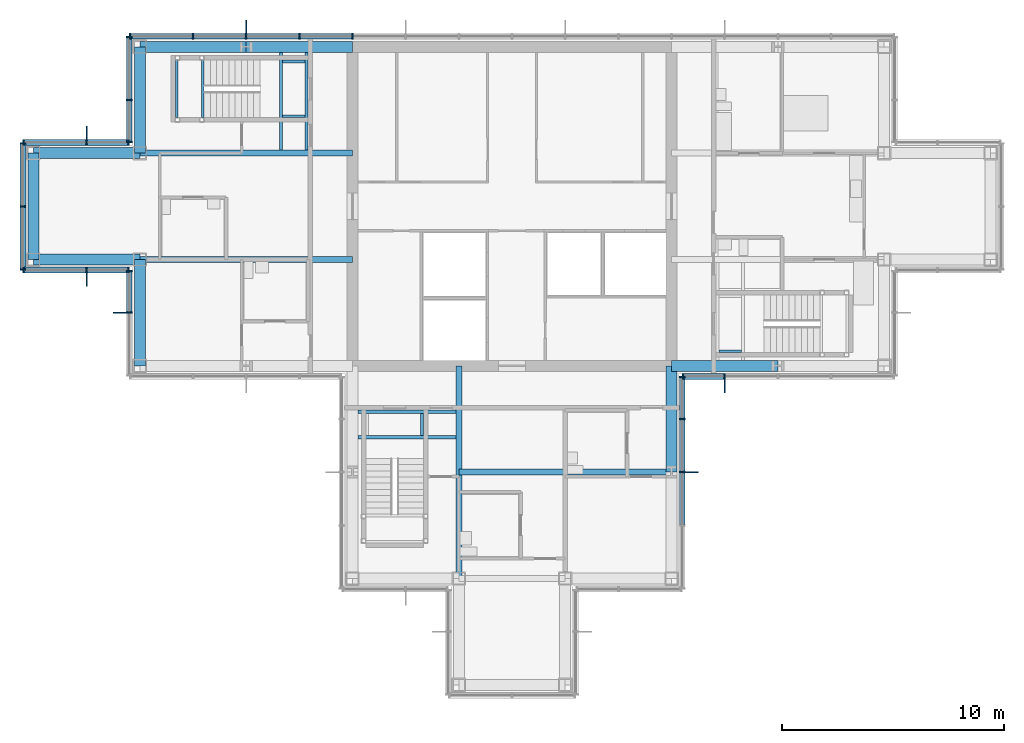
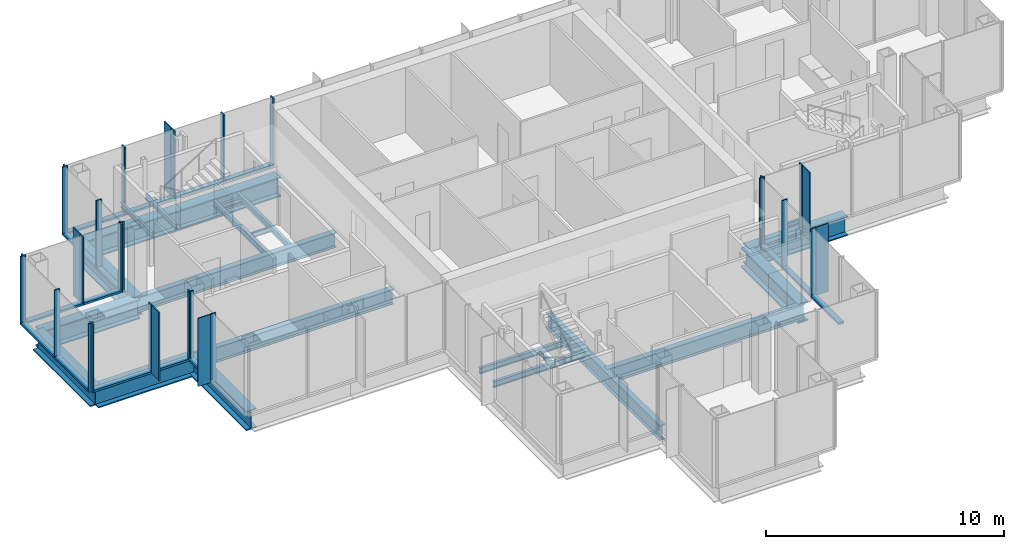
# One storey, part 6 of 15: 47 members, 23 beams, 8 elements without a shape of their own.
"""IFC4 building model written with IfcOpenShell, lengths in metres."""

from ifc_helpers import new_model, si_unit, direction, frame, origin, origin_2d, place, context, subcontext, project, spatial, rectangle, i_section, extrude, material, material_profile, profile_set, type_object, element, aggregate, save


model = new_model("IFC4")

# Units and contexts
model_context = context("Model", 3, precision=1e-05, world=origin(), true_north=direction((0.0, 1.0)))
body_context = subcontext(model_context, "Body", "Model", "MODEL_VIEW")
ifc_project = project(units=[si_unit("LENGTHUNIT", "METRE"), si_unit("AREAUNIT", "SQUARE_METRE"), si_unit("VOLUMEUNIT", "CUBIC_METRE"), si_unit("PLANEANGLEUNIT", "RADIAN"), si_unit("MASSUNIT", "GRAM", prefix="KILO")], contexts=[model_context])

# Site, building, storey
site_placement = place(None, origin())
site = spatial("IfcSite", under=ifc_project, at=site_placement, CompositionType="ELEMENT")
building_placement = place(site_placement, origin())
building = spatial("IfcBuilding", under=site, at=building_placement, Name="Kvirike Care Tower", CompositionType="ELEMENT")
storey_placement = place(building_placement, frame((0.0, 0.0, 226.0)))
storey = spatial("IfcBuildingStorey", under=building, at=storey_placement, Name="L62", CompositionType="ELEMENT", Elevation=226.0)

# Curtain wall, member
ifc_material_1 = material(Name="Anodised aluminium stick system", Category="aluminium")
curtain_wall_type = type_object("IfcCurtainWallType", Name="CW-D STICK CURTAIN WALL", PredefinedType="NOTDEFINED", material=ifc_material_1)
curtain_wall_1_placement = place(storey_placement, origin())
curtain_wall_1 = element("IfcCurtainWall", 1, at=curtain_wall_1_placement, inside=storey, type_object=curtain_wall_type, Name="Curtain wall L62 face 1", PredefinedType="NOTDEFINED")
ifc_material_2 = material(Name="Bronze anodised aluminium fin", Category="aluminium")
ifc_material_profile_1 = material_profile(ifc_material_2, rectangle(XDim=0.050048828125, YDim=0.60009765625, at=origin_2d()), Name="BRONZE FIN 600")
ifc_profile_set_1 = profile_set([ifc_material_profile_1], Name="Bronze anodised aluminium fin")
member_type_1 = type_object("IfcMemberType", Name="BRONZE FIN 600", PredefinedType="USERDEFINED", material=ifc_profile_set_1)
member_1_placement = place(storey_placement, frame((31.199951171875, 27.889892578125, 0.0), z_axis=(0.0, 0.0, 1.0), x_axis=(1.0, 0.0, 0.0)))
member_1 = element("IfcMember", 2, at=member_1_placement, type_object=member_type_1, Name="Bronze fin L62 face 1.2", ObjectType="FIN", PredefinedType="USERDEFINED", context=body_context, shape_type="SweptSolid", body=[
    extrude(rectangle(XDim=0.050048828125, YDim=0.60009765625, at=origin_2d()), origin(), (0.0, 0.0, 1.0), 3.5),
])

curtain_wall_2_placement = place(storey_placement, origin())
curtain_wall_2 = element("IfcCurtainWall", 3, at=curtain_wall_2_placement, inside=storey, type_object=curtain_wall_type, Name="Curtain wall L62 face 7", PredefinedType="NOTDEFINED")
member_2_placement = place(storey_placement, frame((9.60009765625, 44.110107421875, 0.0), z_axis=(0.0, 0.0, 1.0), x_axis=(-1.0, 0.0, 0.0)))
member_2 = element("IfcMember", 4, at=member_2_placement, type_object=member_type_1, Name="Bronze fin L62 face 7.13", ObjectType="FIN", PredefinedType="USERDEFINED", context=body_context, shape_type="SweptSolid", body=[
    extrude(rectangle(XDim=0.050048828125, YDim=0.60009765625, at=origin_2d()), origin(), (0.0, 0.0, 1.0), 3.5),
])

curtain_wall_3_placement = place(storey_placement, origin())
curtain_wall_3 = element("IfcCurtainWall", 5, at=curtain_wall_3_placement, inside=storey, type_object=curtain_wall_type, Name="Curtain wall L62 face 9", PredefinedType="NOTDEFINED")
member_3_placement = place(storey_placement, frame((2.39990234375, 39.31005859375, 0.0), z_axis=(0.0, 0.0, 1.0), x_axis=(-1.0, 0.0, 0.0)))
member_3 = element("IfcMember", 6, at=member_3_placement, type_object=member_type_1, Name="Bronze fin L62 face 9.2", ObjectType="FIN", PredefinedType="USERDEFINED", context=body_context, shape_type="SweptSolid", body=[
    extrude(rectangle(XDim=0.050048828125, YDim=0.60009765625, at=origin_2d()), origin(), (0.0, 0.0, 1.0), 3.5),
])

curtain_wall_4_placement = place(storey_placement, origin())
curtain_wall_4 = element("IfcCurtainWall", 7, at=curtain_wall_4_placement, inside=storey, type_object=curtain_wall_type, Name="Curtain wall L62 face 11", PredefinedType="NOTDEFINED")
member_4_placement = place(storey_placement, frame((2.39990234375, 32.68994140625, 0.0), z_axis=(0.0, 0.0, 1.0), x_axis=(1.0, 0.0, 0.0)))
member_4 = element("IfcMember", 8, at=member_4_placement, type_object=member_type_1, Name="Bronze fin L62 face 11.2", ObjectType="FIN", PredefinedType="USERDEFINED", context=body_context, shape_type="SweptSolid", body=[
    extrude(rectangle(XDim=0.050048828125, YDim=0.60009765625, at=origin_2d()), origin(), (0.0, 0.0, 1.0), 3.5),
])

curtain_wall_5_placement = place(storey_placement, origin())
curtain_wall_5 = element("IfcCurtainWall", 9, at=curtain_wall_5_placement, inside=storey, type_object=curtain_wall_type, Name="Curtain wall L62 face 12", PredefinedType="NOTDEFINED")
member_5_placement = place(storey_placement, frame((3.889892578125, 31.199951171875, 0.0), z_axis=(0.0, 0.0, 1.0), x_axis=(0.0, -1.0, 0.0)))
member_5 = element("IfcMember", 10, at=member_5_placement, type_object=member_type_1, Name="Bronze fin L62 face 12.2", ObjectType="FIN", PredefinedType="USERDEFINED", context=body_context, shape_type="SweptSolid", body=[
    extrude(rectangle(XDim=0.050048828125, YDim=0.60009765625, at=origin_2d()), origin(), (0.0, 0.0, 1.0), 3.5),
])

curtain_wall_6_placement = place(storey_placement, origin())
curtain_wall_6 = element("IfcCurtainWall", 11, at=curtain_wall_6_placement, inside=storey, type_object=curtain_wall_type, Name="Curtain wall L62 face 20", PredefinedType="NOTDEFINED")
member_6_placement = place(storey_placement, frame((29.7099609375, 24.0, 0.0), z_axis=(0.0, 0.0, 1.0), x_axis=(0.0, 1.0, 0.0)))
member_6 = element("IfcMember", 12, at=member_6_placement, type_object=member_type_1, Name="Bronze fin L62 face 20.3", ObjectType="FIN", PredefinedType="USERDEFINED", context=body_context, shape_type="SweptSolid", body=[
    extrude(rectangle(XDim=0.050048828125, YDim=0.60009765625, at=origin_2d()), origin(), (0.0, 0.0, 1.0), 3.5),
])

# Member
ifc_material_3 = material(Name="Bronze anodised aluminium mullion", Category="aluminium")
ifc_material_profile_2 = material_profile(ifc_material_3, rectangle(XDim=0.06494140625, YDim=0.260009765625, at=origin_2d()), Name="CW-D MULLION 65x260")
ifc_profile_set_2 = profile_set([ifc_material_profile_2], Name="Bronze anodised aluminium mullion")
member_type_2 = type_object("IfcMemberType", Name="CW-D MULLION 65x260", PredefinedType="MULLION", material=ifc_profile_set_2)
member_7_placement = place(storey_placement, frame((29.3125, 28.320068359375, 0.0), z_axis=(0.0, 0.0, 1.0), x_axis=(1.0, 0.0, 0.0)))
member_7 = element("IfcMember", 13, at=member_7_placement, type_object=member_type_2, Name="CW-D mullion L62 face 1.1", PredefinedType="MULLION", context=body_context, shape_type="SweptSolid", body=[
    extrude(rectangle(XDim=0.06494140625, YDim=0.260009765625, at=origin_2d()), origin(), (0.0, 0.0, 1.0), 3.5),
])

member_8_placement = place(storey_placement, frame((31.199951171875, 28.320068359375, 0.0), z_axis=(0.0, 0.0, 1.0), x_axis=(1.0, 0.0, 0.0)))
member_8 = element("IfcMember", 14, at=member_8_placement, type_object=member_type_2, Name="CW-D mullion L62 face 1.2", PredefinedType="MULLION", context=body_context, shape_type="SweptSolid", body=[
    extrude(rectangle(XDim=0.06494140625, YDim=0.260009765625, at=origin_2d()), origin(), (0.0, 0.0, 1.0), 3.5),
])

member_9_placement = place(storey_placement, frame((14.39990234375, 43.679931640625, 0.0), z_axis=(0.0, 0.0, 1.0), x_axis=(-1.0, 0.0, 0.0)))
member_9 = element("IfcMember", 15, at=member_9_placement, type_object=member_type_2, Name="CW-D mullion L62 face 7.11", PredefinedType="MULLION", context=body_context, shape_type="SweptSolid", body=[
    extrude(rectangle(XDim=0.06494140625, YDim=0.260009765625, at=origin_2d()), origin(), (0.0, 0.0, 1.0), 3.5),
])

member_10_placement = place(storey_placement, frame((12.0, 43.679931640625, 0.0), z_axis=(0.0, 0.0, 1.0), x_axis=(-1.0, 0.0, 0.0)))
member_10 = element("IfcMember", 16, at=member_10_placement, type_object=member_type_2, Name="CW-D mullion L62 face 7.12", PredefinedType="MULLION", context=body_context, shape_type="SweptSolid", body=[
    extrude(rectangle(XDim=0.06494140625, YDim=0.260009765625, at=origin_2d()), origin(), (0.0, 0.0, 1.0), 3.5),
])

member_11_placement = place(storey_placement, frame((9.60009765625, 43.679931640625, 0.0), z_axis=(0.0, 0.0, 1.0), x_axis=(-1.0, 0.0, 0.0)))
member_11 = element("IfcMember", 17, at=member_11_placement, type_object=member_type_2, Name="CW-D mullion L62 face 7.13", PredefinedType="MULLION", context=body_context, shape_type="SweptSolid", body=[
    extrude(rectangle(XDim=0.06494140625, YDim=0.260009765625, at=origin_2d()), origin(), (0.0, 0.0, 1.0), 3.5),
])

member_12_placement = place(storey_placement, frame((7.199951171875, 43.679931640625, 0.0), z_axis=(0.0, 0.0, 1.0), x_axis=(-1.0, 0.0, 0.0)))
member_12 = element("IfcMember", 18, at=member_12_placement, type_object=member_type_2, Name="CW-D mullion L62 face 7.14", PredefinedType="MULLION", context=body_context, shape_type="SweptSolid", body=[
    extrude(rectangle(XDim=0.06494140625, YDim=0.260009765625, at=origin_2d()), origin(), (0.0, 0.0, 1.0), 3.5),
])

member_13_placement = place(storey_placement, frame((4.3525390625, 43.679931640625, 0.0), z_axis=(0.0, 0.0, 1.0), x_axis=(-1.0, 0.0, 0.0)))
member_13 = element("IfcMember", 19, at=member_13_placement, type_object=member_type_2, Name="CW-D mullion L62 face 7.15", PredefinedType="MULLION", context=body_context, shape_type="SweptSolid", body=[
    extrude(rectangle(XDim=0.06494140625, YDim=0.260009765625, at=origin_2d()), origin(), (0.0, 0.0, 1.0), 3.5),
])

# Curtain wall, members
curtain_wall_7_placement = place(storey_placement, origin())
curtain_wall_7 = element("IfcCurtainWall", 20, at=curtain_wall_7_placement, inside=storey, type_object=curtain_wall_type, Name="Curtain wall L62 face 8", PredefinedType="NOTDEFINED")
member_14_placement = place(storey_placement, frame((4.320068359375, 43.6474609375, 0.0), z_axis=(0.0, 0.0, 1.0), x_axis=(0.0, -1.0, 0.0)))
member_14 = element("IfcMember", 21, at=member_14_placement, type_object=member_type_2, Name="CW-D mullion L62 face 8.1", PredefinedType="MULLION", context=body_context, shape_type="SweptSolid", body=[
    extrude(rectangle(XDim=0.06494140625, YDim=0.260009765625, at=origin_2d()), origin(), (0.0, 0.0, 1.0), 3.5),
])
member_15_placement = place(storey_placement, frame((4.320068359375, 40.800048828125, 0.0), z_axis=(0.0, 0.0, 1.0), x_axis=(0.0, -1.0, 0.0)))
member_15 = element("IfcMember", 22, at=member_15_placement, type_object=member_type_2, Name="CW-D mullion L62 face 8.2", PredefinedType="MULLION", context=body_context, shape_type="SweptSolid", body=[
    extrude(rectangle(XDim=0.06494140625, YDim=0.260009765625, at=origin_2d()), origin(), (0.0, 0.0, 1.0), 3.5),
])
member_16_placement = place(storey_placement, frame((4.320068359375, 38.91259765625, 0.0), z_axis=(0.0, 0.0, 1.0), x_axis=(0.0, -1.0, 0.0)))
member_16 = element("IfcMember", 23, at=member_16_placement, type_object=member_type_2, Name="CW-D mullion L62 face 8.3", PredefinedType="MULLION", context=body_context, shape_type="SweptSolid", body=[
    extrude(rectangle(XDim=0.06494140625, YDim=0.260009765625, at=origin_2d()), origin(), (0.0, 0.0, 1.0), 3.5),
])

# Member
member_17_placement = place(storey_placement, frame((4.28759765625, 38.8798828125, 0.0), z_axis=(0.0, 0.0, 1.0), x_axis=(-1.0, 0.0, 0.0)))
member_17 = element("IfcMember", 24, at=member_17_placement, type_object=member_type_2, Name="CW-D mullion L62 face 9.1", PredefinedType="MULLION", context=body_context, shape_type="SweptSolid", body=[
    extrude(rectangle(XDim=0.06494140625, YDim=0.260009765625, at=origin_2d()), origin(), (0.0, 0.0, 1.0), 3.5),
])

member_18_placement = place(storey_placement, frame((2.39990234375, 38.8798828125, 0.0), z_axis=(0.0, 0.0, 1.0), x_axis=(-1.0, 0.0, 0.0)))
member_18 = element("IfcMember", 25, at=member_18_placement, type_object=member_type_2, Name="CW-D mullion L62 face 9.2", PredefinedType="MULLION", context=body_context, shape_type="SweptSolid", body=[
    extrude(rectangle(XDim=0.06494140625, YDim=0.260009765625, at=origin_2d()), origin(), (0.0, 0.0, 1.0), 3.5),
])

member_19_placement = place(storey_placement, frame((-0.447509765625, 38.8798828125, 0.0), z_axis=(0.0, 0.0, 1.0), x_axis=(-1.0, 0.0, 0.0)))
member_19 = element("IfcMember", 26, at=member_19_placement, type_object=member_type_2, Name="CW-D mullion L62 face 9.3", PredefinedType="MULLION", context=body_context, shape_type="SweptSolid", body=[
    extrude(rectangle(XDim=0.06494140625, YDim=0.260009765625, at=origin_2d()), origin(), (0.0, 0.0, 1.0), 3.5),
])

# Curtain wall, members
curtain_wall_8_placement = place(storey_placement, origin())
curtain_wall_8 = element("IfcCurtainWall", 27, at=curtain_wall_8_placement, inside=storey, type_object=curtain_wall_type, Name="Curtain wall L62 face 10", PredefinedType="NOTDEFINED")
member_20_placement = place(storey_placement, frame((-0.47998046875, 38.847412109375, 0.0), z_axis=(0.0, 0.0, 1.0), x_axis=(0.0, -1.0, 0.0)))
member_20 = element("IfcMember", 28, at=member_20_placement, type_object=member_type_2, Name="CW-D mullion L62 face 10.1", PredefinedType="MULLION", context=body_context, shape_type="SweptSolid", body=[
    extrude(rectangle(XDim=0.06494140625, YDim=0.260009765625, at=origin_2d()), origin(), (0.0, 0.0, 1.0), 3.5),
])
member_21_placement = place(storey_placement, frame((-0.47998046875, 36.0, 0.0), z_axis=(0.0, 0.0, 1.0), x_axis=(0.0, -1.0, 0.0)))
member_21 = element("IfcMember", 29, at=member_21_placement, type_object=member_type_2, Name="CW-D mullion L62 face 10.2", PredefinedType="MULLION", context=body_context, shape_type="SweptSolid", body=[
    extrude(rectangle(XDim=0.06494140625, YDim=0.260009765625, at=origin_2d()), origin(), (0.0, 0.0, 1.0), 3.5),
])
member_22_placement = place(storey_placement, frame((-0.47998046875, 33.152587890625, 0.0), z_axis=(0.0, 0.0, 1.0), x_axis=(0.0, -1.0, 0.0)))
member_22 = element("IfcMember", 30, at=member_22_placement, type_object=member_type_2, Name="CW-D mullion L62 face 10.3", PredefinedType="MULLION", context=body_context, shape_type="SweptSolid", body=[
    extrude(rectangle(XDim=0.06494140625, YDim=0.260009765625, at=origin_2d()), origin(), (0.0, 0.0, 1.0), 3.5),
])

# Member
member_23_placement = place(storey_placement, frame((-0.447509765625, 33.1201171875, 0.0), z_axis=(0.0, 0.0, 1.0), x_axis=(1.0, 0.0, 0.0)))
member_23 = element("IfcMember", 31, at=member_23_placement, type_object=member_type_2, Name="CW-D mullion L62 face 11.1", PredefinedType="MULLION", context=body_context, shape_type="SweptSolid", body=[
    extrude(rectangle(XDim=0.06494140625, YDim=0.260009765625, at=origin_2d()), origin(), (0.0, 0.0, 1.0), 3.5),
])

member_24_placement = place(storey_placement, frame((2.39990234375, 33.1201171875, 0.0), z_axis=(0.0, 0.0, 1.0), x_axis=(1.0, 0.0, 0.0)))
member_24 = element("IfcMember", 32, at=member_24_placement, type_object=member_type_2, Name="CW-D mullion L62 face 11.2", PredefinedType="MULLION", context=body_context, shape_type="SweptSolid", body=[
    extrude(rectangle(XDim=0.06494140625, YDim=0.260009765625, at=origin_2d()), origin(), (0.0, 0.0, 1.0), 3.5),
])

member_25_placement = place(storey_placement, frame((4.28759765625, 33.1201171875, 0.0), z_axis=(0.0, 0.0, 1.0), x_axis=(1.0, 0.0, 0.0)))
member_25 = element("IfcMember", 33, at=member_25_placement, type_object=member_type_2, Name="CW-D mullion L62 face 11.3", PredefinedType="MULLION", context=body_context, shape_type="SweptSolid", body=[
    extrude(rectangle(XDim=0.06494140625, YDim=0.260009765625, at=origin_2d()), origin(), (0.0, 0.0, 1.0), 3.5),
])

member_26_placement = place(storey_placement, frame((4.320068359375, 33.08740234375, 0.0), z_axis=(0.0, 0.0, 1.0), x_axis=(0.0, -1.0, 0.0)))
member_26 = element("IfcMember", 34, at=member_26_placement, type_object=member_type_2, Name="CW-D mullion L62 face 12.1", PredefinedType="MULLION", context=body_context, shape_type="SweptSolid", body=[
    extrude(rectangle(XDim=0.06494140625, YDim=0.260009765625, at=origin_2d()), origin(), (0.0, 0.0, 1.0), 3.5),
])

member_27_placement = place(storey_placement, frame((4.320068359375, 31.199951171875, 0.0), z_axis=(0.0, 0.0, 1.0), x_axis=(0.0, -1.0, 0.0)))
member_27 = element("IfcMember", 35, at=member_27_placement, type_object=member_type_2, Name="CW-D mullion L62 face 12.2", PredefinedType="MULLION", context=body_context, shape_type="SweptSolid", body=[
    extrude(rectangle(XDim=0.06494140625, YDim=0.260009765625, at=origin_2d()), origin(), (0.0, 0.0, 1.0), 3.5),
])

member_28_placement = place(storey_placement, frame((29.280029296875, 24.0, 0.0), z_axis=(0.0, 0.0, 1.0), x_axis=(0.0, 1.0, 0.0)))
member_28 = element("IfcMember", 36, at=member_28_placement, type_object=member_type_2, Name="CW-D mullion L62 face 20.3", PredefinedType="MULLION", context=body_context, shape_type="SweptSolid", body=[
    extrude(rectangle(XDim=0.06494140625, YDim=0.260009765625, at=origin_2d()), origin(), (0.0, 0.0, 1.0), 3.5),
])

member_29_placement = place(storey_placement, frame((29.280029296875, 26.39990234375, 0.0), z_axis=(0.0, 0.0, 1.0), x_axis=(0.0, 1.0, 0.0)))
member_29 = element("IfcMember", 37, at=member_29_placement, type_object=member_type_2, Name="CW-D mullion L62 face 20.4", PredefinedType="MULLION", context=body_context, shape_type="SweptSolid", body=[
    extrude(rectangle(XDim=0.06494140625, YDim=0.260009765625, at=origin_2d()), origin(), (0.0, 0.0, 1.0), 3.5),
])

member_30_placement = place(storey_placement, frame((29.280029296875, 28.28759765625, 0.0), z_axis=(0.0, 0.0, 1.0), x_axis=(0.0, 1.0, 0.0)))
member_30 = element("IfcMember", 38, at=member_30_placement, type_object=member_type_2, Name="CW-D mullion L62 face 20.5", PredefinedType="MULLION", context=body_context, shape_type="SweptSolid", body=[
    extrude(rectangle(XDim=0.06494140625, YDim=0.260009765625, at=origin_2d()), origin(), (0.0, 0.0, 1.0), 3.5),
])

ifc_material_4 = material(Name="Bronze anodised aluminium transom", Category="aluminium")
ifc_material_profile_3 = material_profile(ifc_material_4, rectangle(XDim=0.260009765625, YDim=0.10009765625, at=origin_2d()), Name="CW-D TRANSOM 260x100")
ifc_profile_set_3 = profile_set([ifc_material_profile_3], Name="Bronze anodised aluminium transom")
member_type_3 = type_object("IfcMemberType", Name="CW-D TRANSOM 260x100", PredefinedType="USERDEFINED", material=ifc_profile_set_3)
member_31_placement = place(storey_placement, frame((29.344970703125, 28.320068359375, 0.050048828125), z_axis=(1.0, 0.0, 0.0), x_axis=(0.0, 1.0, 0.0)))
member_31 = element("IfcMember", 39, at=member_31_placement, type_object=member_type_3, Name="CW-D sill transom L62 face 1.1", ObjectType="TRANSOM", PredefinedType="USERDEFINED", context=body_context, shape_type="SweptSolid", body=[
    extrude(rectangle(XDim=0.260009765625, YDim=0.10009765625, at=origin_2d()), origin(), (0.0, 0.0, 1.0), 1.822509765625),
])

aggregate(curtain_wall_1, [member_7, member_8, member_1, member_31])

member_32_placement = place(storey_placement, frame((14.367431640625, 43.679931640625, 0.050048828125), z_axis=(-1.0, 0.0, 0.0), x_axis=(0.0, -1.0, 0.0)))
member_32 = element("IfcMember", 40, at=member_32_placement, type_object=member_type_3, Name="CW-D sill transom L62 face 7.11", ObjectType="TRANSOM", PredefinedType="USERDEFINED", context=body_context, shape_type="SweptSolid", body=[
    extrude(rectangle(XDim=0.260009765625, YDim=0.10009765625, at=origin_2d()), origin(), (0.0, 0.0, 1.0), 2.3349609375),
])

member_33_placement = place(storey_placement, frame((11.967529296875, 43.679931640625, 0.050048828125), z_axis=(-1.0, 0.0, 0.0), x_axis=(0.0, -1.0, 0.0)))
member_33 = element("IfcMember", 41, at=member_33_placement, type_object=member_type_3, Name="CW-D sill transom L62 face 7.12", ObjectType="TRANSOM", PredefinedType="USERDEFINED", context=body_context, shape_type="SweptSolid", body=[
    extrude(rectangle(XDim=0.260009765625, YDim=0.10009765625, at=origin_2d()), origin(), (0.0, 0.0, 1.0), 2.3349609375),
])

member_34_placement = place(storey_placement, frame((9.5673828125, 43.679931640625, 0.050048828125), z_axis=(-1.0, 0.0, 0.0), x_axis=(0.0, -1.0, 0.0)))
member_34 = element("IfcMember", 42, at=member_34_placement, type_object=member_type_3, Name="CW-D sill transom L62 face 7.13", ObjectType="TRANSOM", PredefinedType="USERDEFINED", context=body_context, shape_type="SweptSolid", body=[
    extrude(rectangle(XDim=0.260009765625, YDim=0.10009765625, at=origin_2d()), origin(), (0.0, 0.0, 1.0), 2.3349609375),
])

member_35_placement = place(storey_placement, frame((7.16748046875, 43.679931640625, 0.050048828125), z_axis=(-1.0, 0.0, 0.0), x_axis=(0.0, -1.0, 0.0)))
member_35 = element("IfcMember", 43, at=member_35_placement, type_object=member_type_3, Name="CW-D sill transom L62 face 7.14", ObjectType="TRANSOM", PredefinedType="USERDEFINED", context=body_context, shape_type="SweptSolid", body=[
    extrude(rectangle(XDim=0.260009765625, YDim=0.10009765625, at=origin_2d()), origin(), (0.0, 0.0, 1.0), 2.782470703125),
])

aggregate(curtain_wall_2, [member_9, member_10, member_11, member_2, member_12, member_13, member_32, member_33, member_34, member_35])

member_36_placement = place(storey_placement, frame((4.320068359375, 43.614990234375, 0.050048828125), z_axis=(0.0, -1.0, 0.0), x_axis=(1.0, 0.0, 0.0)))
member_36 = element("IfcMember", 44, at=member_36_placement, type_object=member_type_3, Name="CW-D sill transom L62 face 8.1", ObjectType="TRANSOM", PredefinedType="USERDEFINED", context=body_context, shape_type="SweptSolid", body=[
    extrude(rectangle(XDim=0.260009765625, YDim=0.10009765625, at=origin_2d()), origin(), (0.0, 0.0, 1.0), 2.782470703125),
])

member_37_placement = place(storey_placement, frame((4.320068359375, 40.767578125, 0.050048828125), z_axis=(0.0, -1.0, 0.0), x_axis=(1.0, 0.0, 0.0)))
member_37 = element("IfcMember", 45, at=member_37_placement, type_object=member_type_3, Name="CW-D sill transom L62 face 8.2", ObjectType="TRANSOM", PredefinedType="USERDEFINED", context=body_context, shape_type="SweptSolid", body=[
    extrude(rectangle(XDim=0.260009765625, YDim=0.10009765625, at=origin_2d()), origin(), (0.0, 0.0, 1.0), 1.822509765625),
])

aggregate(curtain_wall_7, [member_14, member_15, member_16, member_36, member_37])

member_38_placement = place(storey_placement, frame((4.2548828125, 38.8798828125, 0.050048828125), z_axis=(-1.0, 0.0, 0.0), x_axis=(0.0, -1.0, 0.0)))
member_38 = element("IfcMember", 46, at=member_38_placement, type_object=member_type_3, Name="CW-D sill transom L62 face 9.1", ObjectType="TRANSOM", PredefinedType="USERDEFINED", context=body_context, shape_type="SweptSolid", body=[
    extrude(rectangle(XDim=0.260009765625, YDim=0.10009765625, at=origin_2d()), origin(), (0.0, 0.0, 1.0), 1.822265625),
])

member_39_placement = place(storey_placement, frame((2.367431640625, 38.8798828125, 0.050048828125), z_axis=(-1.0, 0.0, 0.0), x_axis=(0.0, -1.0, 0.0)))
member_39 = element("IfcMember", 47, at=member_39_placement, type_object=member_type_3, Name="CW-D sill transom L62 face 9.2", ObjectType="TRANSOM", PredefinedType="USERDEFINED", context=body_context, shape_type="SweptSolid", body=[
    extrude(rectangle(XDim=0.260009765625, YDim=0.10009765625, at=origin_2d()), origin(), (0.0, 0.0, 1.0), 2.782470703125),
])

aggregate(curtain_wall_3, [member_17, member_18, member_3, member_19, member_38, member_39])

member_40_placement = place(storey_placement, frame((-0.47998046875, 38.81494140625, 0.050048828125), z_axis=(0.0, -1.0, 0.0), x_axis=(1.0, 0.0, 0.0)))
member_40 = element("IfcMember", 48, at=member_40_placement, type_object=member_type_3, Name="CW-D sill transom L62 face 10.1", ObjectType="TRANSOM", PredefinedType="USERDEFINED", context=body_context, shape_type="SweptSolid", body=[
    extrude(rectangle(XDim=0.260009765625, YDim=0.10009765625, at=origin_2d()), origin(), (0.0, 0.0, 1.0), 2.782470703125),
])

member_41_placement = place(storey_placement, frame((-0.47998046875, 35.967529296875, 0.050048828125), z_axis=(0.0, -1.0, 0.0), x_axis=(1.0, 0.0, 0.0)))
member_41 = element("IfcMember", 49, at=member_41_placement, type_object=member_type_3, Name="CW-D sill transom L62 face 10.2", ObjectType="TRANSOM", PredefinedType="USERDEFINED", context=body_context, shape_type="SweptSolid", body=[
    extrude(rectangle(XDim=0.260009765625, YDim=0.10009765625, at=origin_2d()), origin(), (0.0, 0.0, 1.0), 2.782470703125),
])

aggregate(curtain_wall_8, [member_20, member_21, member_22, member_40, member_41])

member_42_placement = place(storey_placement, frame((-0.4150390625, 33.1201171875, 0.050048828125), z_axis=(1.0, 0.0, 0.0), x_axis=(0.0, 1.0, 0.0)))
member_42 = element("IfcMember", 50, at=member_42_placement, type_object=member_type_3, Name="CW-D sill transom L62 face 11.1", ObjectType="TRANSOM", PredefinedType="USERDEFINED", context=body_context, shape_type="SweptSolid", body=[
    extrude(rectangle(XDim=0.260009765625, YDim=0.10009765625, at=origin_2d()), origin(), (0.0, 0.0, 1.0), 2.782470703125),
])

member_43_placement = place(storey_placement, frame((2.4326171875, 33.1201171875, 0.050048828125), z_axis=(1.0, 0.0, 0.0), x_axis=(0.0, 1.0, 0.0)))
member_43 = element("IfcMember", 51, at=member_43_placement, type_object=member_type_3, Name="CW-D sill transom L62 face 11.2", ObjectType="TRANSOM", PredefinedType="USERDEFINED", context=body_context, shape_type="SweptSolid", body=[
    extrude(rectangle(XDim=0.260009765625, YDim=0.10009765625, at=origin_2d()), origin(), (0.0, 0.0, 1.0), 1.822265625),
])

aggregate(curtain_wall_4, [member_23, member_24, member_4, member_25, member_42, member_43])

member_44_placement = place(storey_placement, frame((4.320068359375, 33.054931640625, 0.050048828125), z_axis=(0.0, -1.0, 0.0), x_axis=(1.0, 0.0, 0.0)))
member_44 = element("IfcMember", 52, at=member_44_placement, type_object=member_type_3, Name="CW-D sill transom L62 face 12.1", ObjectType="TRANSOM", PredefinedType="USERDEFINED", context=body_context, shape_type="SweptSolid", body=[
    extrude(rectangle(XDim=0.260009765625, YDim=0.10009765625, at=origin_2d()), origin(), (0.0, 0.0, 1.0), 1.822509765625),
])

aggregate(curtain_wall_5, [member_26, member_27, member_5, member_44])

member_45_placement = place(storey_placement, frame((29.280029296875, 21.632568359375, 0.050048828125), z_axis=(0.0, 1.0, 0.0), x_axis=(-1.0, 0.0, 0.0)))
member_45 = element("IfcMember", 53, at=member_45_placement, type_object=member_type_3, Name="CW-D sill transom L62 face 20.2", ObjectType="TRANSOM", PredefinedType="USERDEFINED", context=body_context, shape_type="SweptSolid", body=[
    extrude(rectangle(XDim=0.260009765625, YDim=0.10009765625, at=origin_2d()), origin(), (0.0, 0.0, 1.0), 2.3349609375),
])

member_46_placement = place(storey_placement, frame((29.280029296875, 24.032470703125, 0.050048828125), z_axis=(0.0, 1.0, 0.0), x_axis=(-1.0, 0.0, 0.0)))
member_46 = element("IfcMember", 54, at=member_46_placement, type_object=member_type_3, Name="CW-D sill transom L62 face 20.3", ObjectType="TRANSOM", PredefinedType="USERDEFINED", context=body_context, shape_type="SweptSolid", body=[
    extrude(rectangle(XDim=0.260009765625, YDim=0.10009765625, at=origin_2d()), origin(), (0.0, 0.0, 1.0), 2.3349609375),
])

member_47_placement = place(storey_placement, frame((29.280029296875, 26.4326171875, 0.050048828125), z_axis=(0.0, 1.0, 0.0), x_axis=(-1.0, 0.0, 0.0)))
member_47 = element("IfcMember", 55, at=member_47_placement, type_object=member_type_3, Name="CW-D sill transom L62 face 20.4", ObjectType="TRANSOM", PredefinedType="USERDEFINED", context=body_context, shape_type="SweptSolid", body=[
    extrude(rectangle(XDim=0.260009765625, YDim=0.10009765625, at=origin_2d()), origin(), (0.0, 0.0, 1.0), 1.822265625),
])

aggregate(curtain_wall_6, [member_28, member_6, member_29, member_30, member_45, member_46, member_47])

# Beams
ifc_material_5 = material(Name="Steel S355", Category="steel")
ifc_material_profile_4 = material_profile(ifc_material_5, i_section(OverallWidth=0.26806640625, OverallDepth=0.77001953125, WebThickness=0.015625, FlangeThickness=0.025390625, FilletRadius=0.01708984375, at=origin_2d()), Name="IPE 750x196")
ifc_profile_set_4 = profile_set([ifc_material_profile_4], Name="Steel S355")
beam_type_1 = type_object("IfcBeamType", Name="FLOOR BEAM IPE 750x196", PredefinedType="BEAM", material=ifc_profile_set_4)
beam_1_placement = place(storey_placement, frame((19.199951171875, 24.0, -0.554931640625), z_axis=(1.0, 0.0, 0.0), x_axis=(0.0, 1.0, 0.0)))
element("IfcBeam", 56, at=beam_1_placement, inside=storey, type_object=beam_type_1, Name="Floor Beam F7-F9 L62", PredefinedType="BEAM", context=body_context, shape_type="SweptSolid", body=[
    extrude(i_section(OverallWidth=0.26806640625, OverallDepth=0.77001953125, WebThickness=0.015625, FlangeThickness=0.025390625, FilletRadius=0.01708984375, at=origin_2d()), origin(), (0.0, 0.0, 1.0), 9.60009765625),
])
for number, where, z_axis, x_axis, name in (
    (57, (4.800048828125, 33.60009765625, -0.554931640625), (1.0, 0.0, 0.0), (0.0, 1.0, 0.0), "Floor Beam H4-H6 L62"),
    (58, (4.800048828125, 38.39990234375, -0.554931640625), (1.0, 0.0, 0.0), (0.0, 1.0, 0.0), "Floor Beam J4-J6 L62"),
):
    element("IfcBeam", number, at=place(storey_placement, frame(where, z_axis=z_axis, x_axis=x_axis)), inside=storey, type_object=beam_type_1, Name=name, PredefinedType="BEAM", context=body_context, shape_type="SweptSolid", body=[
        extrude(i_section(OverallWidth=0.26806640625, OverallDepth=0.77001953125, WebThickness=0.015625, FlangeThickness=0.025390625, FilletRadius=0.01708984375, at=origin_2d()), origin(), (0.0, 0.0, 1.0), 9.599853515625),
    ])
beam_2_placement = place(storey_placement, frame((19.199951171875, 19.199951171875, -0.554931640625), z_axis=(0.0, 1.0, 0.0), x_axis=(-1.0, 0.0, 0.0)))
element("IfcBeam", 59, at=beam_2_placement, inside=storey, type_object=beam_type_1, Name="Floor Beam E7-G7 L62", PredefinedType="BEAM", context=body_context, shape_type="SweptSolid", body=[
    extrude(i_section(OverallWidth=0.26806640625, OverallDepth=0.77001953125, WebThickness=0.015625, FlangeThickness=0.025390625, FilletRadius=0.01708984375, at=origin_2d()), origin(), (0.0, 0.0, 1.0), 9.60009765625),
])
ifc_material_6 = material(Name="Steel S355", Category="steel")
ifc_material_profile_5 = material_profile(ifc_material_6, i_section(OverallWidth=0.5, OverallDepth=1.0, WebThickness=0.030029296875, FlangeThickness=0.06005859375, at=origin_2d()), Name="PG 1000x500x30x60")
ifc_profile_set_5 = profile_set([ifc_material_profile_5], Name="Steel S355")
beam_type_2 = type_object("IfcBeamType", Name="SPANDREL PG 1000x500x30x60", PredefinedType="SPANDREL", material=ifc_profile_set_5)
for number, where, z_axis, x_axis, name in (
    (60, (28.800048828125, 28.800048828125, -0.669921875), (1.0, 0.0, 0.0), (0.0, 1.0, 0.0), "Spandrel G9-G10 L62"),
    (61, (0.0, 33.60009765625, -0.669921875), (1.0, 0.0, 0.0), (0.0, 1.0, 0.0), "Spandrel H3-H4 L62"),
    (62, (0.0, 38.39990234375, -0.669921875), (1.0, 0.0, 0.0), (0.0, 1.0, 0.0), "Spandrel J3-J4 L62"),
    (63, (4.800048828125, 43.199951171875, -0.669921875), (1.0, 0.0, 0.0), (0.0, 1.0, 0.0), "Spandrel K4-K5 L62"),
):
    element("IfcBeam", number, at=place(storey_placement, frame(where, z_axis=z_axis, x_axis=x_axis)), inside=storey, type_object=beam_type_2, Name=name, PredefinedType="SPANDREL", context=body_context, shape_type="SweptSolid", body=[
        extrude(i_section(OverallWidth=0.5, OverallDepth=1.0, WebThickness=0.030029296875, FlangeThickness=0.06005859375, at=origin_2d()), origin(), (0.0, 0.0, 1.0), 4.800048828125),
    ])
for number, where, z_axis, x_axis, name in (
    (64, (9.60009765625, 43.199951171875, -0.669921875), (1.0, 0.0, 0.0), (0.0, 1.0, 0.0), "Spandrel K5-K6 L62"),
    (65, (0.0, 33.60009765625, -0.669921875), (0.0, 1.0, 0.0), (-1.0, 0.0, 0.0), "Spandrel H3-J3 L62"),
):
    element("IfcBeam", number, at=place(storey_placement, frame(where, z_axis=z_axis, x_axis=x_axis)), inside=storey, type_object=beam_type_2, Name=name, PredefinedType="SPANDREL", context=body_context, shape_type="SweptSolid", body=[
        extrude(i_section(OverallWidth=0.5, OverallDepth=1.0, WebThickness=0.030029296875, FlangeThickness=0.06005859375, at=origin_2d()), origin(), (0.0, 0.0, 1.0), 4.7998046875),
    ])
for number, where, z_axis, x_axis, name in (
    (66, (4.800048828125, 28.800048828125, -0.669921875), (0.0, 1.0, 0.0), (-1.0, 0.0, 0.0), "Spandrel G4-H4 L62"),
    (67, (4.800048828125, 38.39990234375, -0.669921875), (0.0, 1.0, 0.0), (-1.0, 0.0, 0.0), "Spandrel J4-K4 L62"),
    (68, (28.800048828125, 24.0, -0.669921875), (0.0, 1.0, 0.0), (-1.0, 0.0, 0.0), "Spandrel F9-G9 L62"),
):
    element("IfcBeam", number, at=place(storey_placement, frame(where, z_axis=z_axis, x_axis=x_axis)), inside=storey, type_object=beam_type_2, Name=name, PredefinedType="SPANDREL", context=body_context, shape_type="SweptSolid", body=[
        extrude(i_section(OverallWidth=0.5, OverallDepth=1.0, WebThickness=0.030029296875, FlangeThickness=0.06005859375, at=origin_2d()), origin(), (0.0, 0.0, 1.0), 4.800048828125),
    ])
ifc_material_7 = material(Name="Steel S355", Category="steel")
ifc_material_profile_6 = material_profile(ifc_material_7, i_section(OverallWidth=0.1201171875, OverallDepth=0.239990234375, WebThickness=0.006103515625, FlangeThickness=0.009765625, FilletRadius=0.014892578125, at=origin_2d()), Name="IPE 240")
ifc_profile_set_6 = profile_set([ifc_material_profile_6], Name="Steel S355")
beam_type_3 = type_object("IfcBeamType", Name="STAIR LANDING BEAM IPE 240", PredefinedType="BEAM", material=ifc_profile_set_6)
for number, where, z_axis, x_axis, name in (
    (69, (6.4599609375, 42.60009765625, 1.429931640625), (0.0, -1.0, 0.0), (1.0, 0.0, 0.0), "Stair 1 landing beam back L62"),
    (70, (7.639892578125, 42.60009765625, 1.429931640625), (0.0, -1.0, 0.0), (1.0, 0.0, 0.0), "Stair 1 landing beam front L62"),
):
    element("IfcBeam", number, at=place(storey_placement, frame(where, z_axis=z_axis, x_axis=x_axis)), inside=storey, type_object=beam_type_3, Name=name, PredefinedType="BEAM", context=body_context, shape_type="SweptSolid", body=[
        extrude(i_section(OverallWidth=0.1201171875, OverallDepth=0.239990234375, WebThickness=0.006103515625, FlangeThickness=0.009765625, FilletRadius=0.014892578125, at=origin_2d()), origin(), (0.0, 0.0, 1.0), 2.60009765625),
    ])
for number, where, z_axis, x_axis, name in (
    (71, (11.25, 42.5400390625, -0.320068359375), (1.0, 0.0, 0.0), (0.0, 1.0, 0.0), "Stair 1 landing edge beam 1 L62"),
    (72, (11.25, 40.06005859375, -0.320068359375), (1.0, 0.0, 0.0), (0.0, 1.0, 0.0), "Stair 1 landing edge beam 2 L62"),
    (73, (31.949951171875, 29.4599609375, -0.320068359375), (-1.0, 0.0, 0.0), (0.0, -1.0, 0.0), "Stair 2 landing edge beam 1 L62"),
    (74, (17.5400390625, 25.64990234375, -0.320068359375), (0.0, 1.0, 0.0), (-1.0, 0.0, 0.0), "Stair 5 landing edge beam 2 L62"),
):
    element("IfcBeam", number, at=place(storey_placement, frame(where, z_axis=z_axis, x_axis=x_axis)), inside=storey, type_object=beam_type_3, Name=name, PredefinedType="BEAM", context=body_context, shape_type="SweptSolid", body=[
        extrude(i_section(OverallWidth=0.1201171875, OverallDepth=0.239990234375, WebThickness=0.006103515625, FlangeThickness=0.009765625, FilletRadius=0.014892578125, at=origin_2d()), origin(), (0.0, 0.0, 1.0), 1.0),
    ])
ifc_material_8 = material(Name="Steel S355", Category="steel")
ifc_material_profile_7 = material_profile(ifc_material_8, i_section(OverallWidth=0.14990234375, OverallDepth=0.300048828125, WebThickness=0.007080078125, FlangeThickness=0.0107421875, FilletRadius=0.014892578125, at=origin_2d()), Name="IPE 300")
ifc_profile_set_7 = profile_set([ifc_material_profile_7], Name="Steel S355")
beam_type_4 = type_object("IfcBeamType", Name="STAIR TRIMMER IPE 300", PredefinedType="BEAM", material=ifc_profile_set_7)
for number, where, z_axis, x_axis, name in (
    (75, (11.175048828125, 42.949951171875, -0.35009765625), (0.0, -1.0, 0.0), (1.0, 0.0, 0.0), "Stair 1 trimmer 1 L62"),
    (76, (12.324951171875, 42.949951171875, -0.35009765625), (0.0, -1.0, 0.0), (1.0, 0.0, 0.0), "Stair 1 trimmer 2 L62"),
    (77, (14.64990234375, 25.574951171875, -0.35009765625), (1.0, 0.0, 0.0), (0.0, 1.0, 0.0), "Stair 5 trimmer 1 L62"),
    (78, (14.64990234375, 26.72509765625, -0.35009765625), (1.0, 0.0, 0.0), (0.0, 1.0, 0.0), "Stair 5 trimmer 2 L62"),
):
    element("IfcBeam", number, at=place(storey_placement, frame(where, z_axis=z_axis, x_axis=x_axis)), inside=storey, type_object=beam_type_4, Name=name, PredefinedType="BEAM", context=body_context, shape_type="SweptSolid", body=[
        extrude(i_section(OverallWidth=0.14990234375, OverallDepth=0.300048828125, WebThickness=0.007080078125, FlangeThickness=0.0107421875, FilletRadius=0.014892578125, at=origin_2d()), origin(), (0.0, 0.0, 1.0), 4.416015625),
    ])

save(model, "model.ifc")
